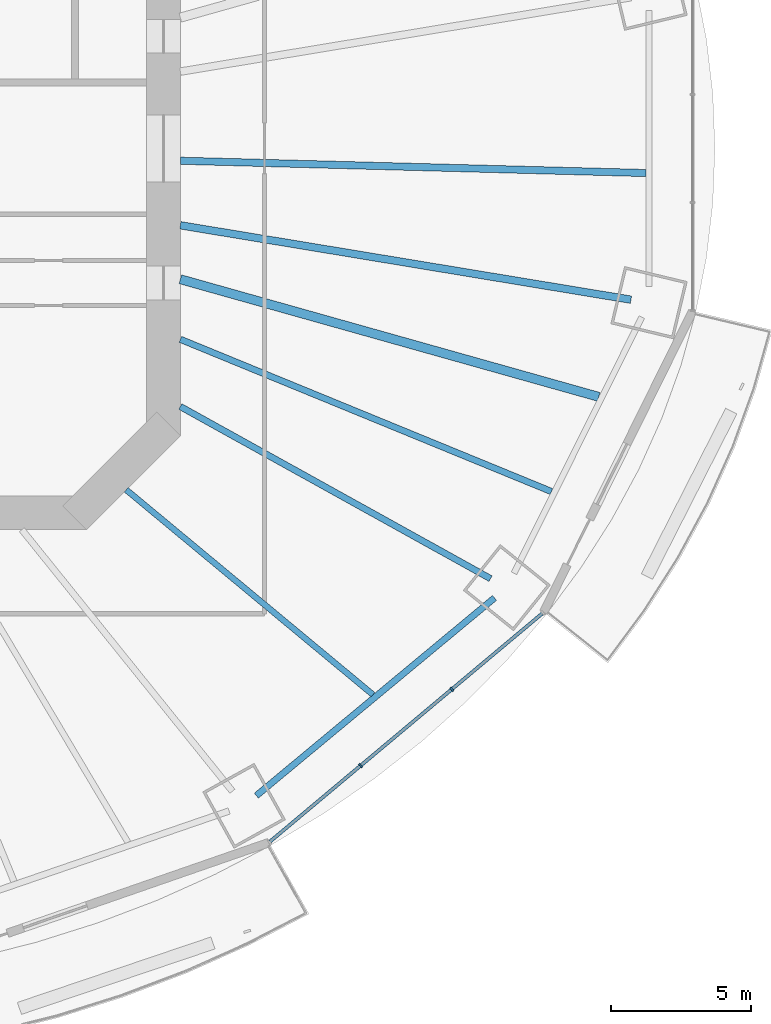
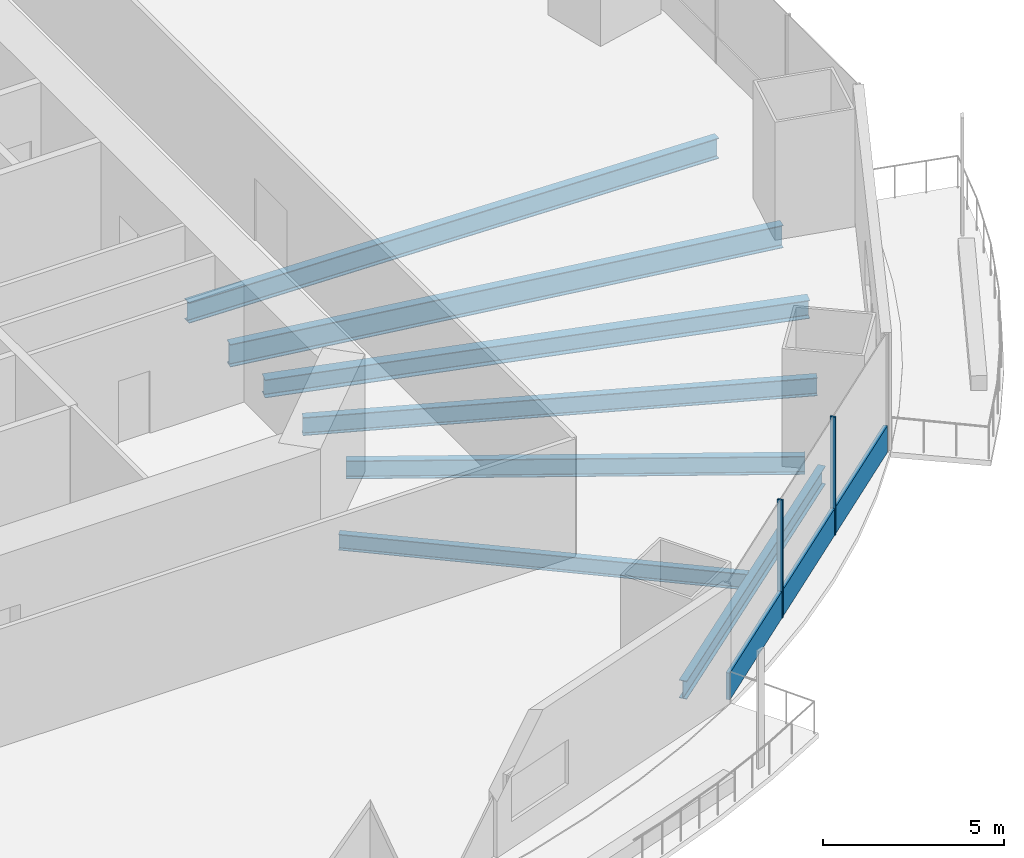
# One storey, part 5 of 22: 7 beams, 3 members, 1 element without a shape of its own.
"""IFC4 building model written with IfcOpenShell, lengths in metres."""

import ifcopenshell
import ifcopenshell.guid

model = None  # the IFC model being written
_history = None  # IfcOwnerHistory: only IFC2X3 demands one
_inside = {}  # id of a spatial element -> (the spatial element, [elements in it])
_under = {}  # id of a project, library or spatial element -> (it, [spatial elements below it])
_declared = {}  # id of a project -> (the project, [libraries it declares])
_typed = {}  # id of a type object -> (the type object, [elements of that type])
_made_of = {}  # id of a material, layer set ... -> (it, [elements and type objects made of it])


def new_model(schema):
    """Start an empty IFC model of exactly this schema.

    Asked for "IFC4X3", IfcOpenShell would pick the latest addendum, in which some entities
    have other attributes; the version numbers below select the first issue.
    IFC2X3 requires an IfcOwnerHistory on every rooted entity: one is made here for all.
    """
    global model, _history
    if schema == "IFC4X3":
        model = ifcopenshell.file(schema_version=(4, 3, 0, 0))
    else:
        model = ifcopenshell.file(schema=schema)
    _inside.clear()
    _under.clear()
    _declared.clear()
    _typed.clear()
    _made_of.clear()
    _history = None
    if model.schema == "IFC2X3":
        org = make("IfcOrganization", Name="unknown")
        user = make(
            "IfcPersonAndOrganization",
            ThePerson=make("IfcPerson", FamilyName="unknown"),
            TheOrganization=org,
        )
        app = make(
            "IfcApplication",
            ApplicationDeveloper=org,
            Version="unknown",
            ApplicationFullName="unknown",
            ApplicationIdentifier="unknown",
        )
        _history = make(
            "IfcOwnerHistory",
            OwningUser=user,
            OwningApplication=app,
            ChangeAction="ADDED",
            CreationDate=0,
        )
    return model


def make(cls, **values):
    """One entity of the class cls with the attributes given. An attribute that is None is left unset."""
    return model.create_entity(
        cls, **{name: value for name, value in values.items() if value is not None}
    )


def rooted(cls, **values):
    """An entity with a GlobalId (a new one), such as an element, a storey or a relation."""
    return make(cls, GlobalId=ifcopenshell.guid.new(), OwnerHistory=_history, **values)


def si_unit(unit_type, name, prefix=None):
    """IfcSIUnit, for example si_unit("LENGTHUNIT", "METRE", prefix="MILLI")."""
    return make("IfcSIUnit", UnitType=unit_type, Prefix=prefix, Name=name)


def assignment(units):
    """IfcUnitAssignment: the units of a project."""
    return None if units is None else make("IfcUnitAssignment", Units=units)


def point(xyz):
    """IfcCartesianPoint."""
    return None if xyz is None else make("IfcCartesianPoint", Coordinates=xyz)


def direction(xyz):
    """IfcDirection."""
    return None if xyz is None else make("IfcDirection", DirectionRatios=xyz)


def frame(location, z_axis=None, x_axis=None):
    """IfcAxis2Placement3D, a coordinate frame: its origin and axes. An axis left out is left unset."""
    return make(
        "IfcAxis2Placement3D",
        Location=point(location),
        Axis=direction(z_axis),
        RefDirection=direction(x_axis),
    )


def frame_2d(location, x_axis=None):
    """IfcAxis2Placement2D, a coordinate frame in the plane: its origin and x axis."""
    return make(
        "IfcAxis2Placement2D", Location=point(location), RefDirection=direction(x_axis)
    )


def origin():
    """The frame at (0, 0, 0) with its axes left unset."""
    return frame((0.0, 0.0, 0.0))


def origin_2d():
    """The frame at (0, 0) in the plane with its x axis left unset."""
    return frame_2d((0.0, 0.0))


def place(relative_to, where):
    """IfcLocalPlacement: puts the frame where relative to a parent placement (None: the world)."""
    return make(
        "IfcLocalPlacement", PlacementRelTo=relative_to, RelativePlacement=where
    )


def context(
    kind, dimensions, precision=None, world=None, true_north=None, identifier=None
):
    """IfcGeometricRepresentationContext, for example the 3D "Model" context."""
    return make(
        "IfcGeometricRepresentationContext",
        ContextIdentifier=identifier,
        ContextType=kind,
        CoordinateSpaceDimension=dimensions,
        Precision=precision,
        WorldCoordinateSystem=world,
        TrueNorth=true_north,
    )


def subcontext(parent, identifier, kind, view, scale=None):
    """IfcGeometricRepresentationSubContext, for example "Body" below "Model"."""
    return make(
        "IfcGeometricRepresentationSubContext",
        ContextIdentifier=identifier,
        ContextType=kind,
        ParentContext=parent,
        TargetScale=scale,
        TargetView=view,
    )


def project(units=None, contexts=None):
    """IfcProject with its units and contexts."""
    return rooted(
        "IfcProject",
        Name="project",
        RepresentationContexts=contexts,
        UnitsInContext=assignment(units),
    )


def spatial(cls, under=None, at=None, **own):
    """A site, building, storey or space (cls), placed at a placement, below another one or the project."""
    s = rooted(cls, ObjectPlacement=at, **own)
    if under is not None:
        _under.setdefault(under.id(), (under, []))[1].append(s)
    return s


def profile(cls, at=None, kind="AREA", **sizes):
    """A parametric profile (cls). Its sizes go by their IFC names, for example OverallWidth=200.0."""
    return make(cls, ProfileType=kind, Position=at, **sizes)


def rectangle(**sizes):
    """IfcRectangleProfileDef."""
    return profile("IfcRectangleProfileDef", **sizes)


def i_section(**sizes):
    """IfcIShapeProfileDef."""
    return profile("IfcIShapeProfileDef", **sizes)


def extrude(swept, where, along, depth):
    """IfcExtrudedAreaSolid: the profile swept, set in the frame where, extruded along a direction by depth."""
    return make(
        "IfcExtrudedAreaSolid",
        SweptArea=swept,
        Position=where,
        ExtrudedDirection=direction(along),
        Depth=depth,
    )


def shape(context_of_items, identifier, shape_type, items):
    """IfcShapeRepresentation: the items that make up one representation, for example the "Body"."""
    return make(
        "IfcShapeRepresentation",
        ContextOfItems=context_of_items,
        RepresentationIdentifier=identifier,
        RepresentationType=shape_type,
        Items=items,
    )


def material(Name=None, Category=None):
    """IfcMaterial."""
    return make("IfcMaterial", Name=Name, Category=Category)


def material_profile(
    of_material, cross_section, Name=None, Category=None, Priority=None
):
    """IfcMaterialProfile: a cross section and its material."""
    return make(
        "IfcMaterialProfile",
        Name=Name,
        Material=of_material,
        Profile=cross_section,
        Priority=Priority,
        Category=Category,
    )


def profile_set(profiles, Name=None, composite=None):
    """IfcMaterialProfileSet."""
    return make(
        "IfcMaterialProfileSet",
        Name=Name,
        MaterialProfiles=profiles,
        CompositeProfile=composite,
    )


def made_of(thing, what):
    """Note that an element or type object is made of a material, layer set ...; save() writes the relation."""
    if what is not None:
        _made_of.setdefault(what.id(), (what, []))[1].append(thing)
    return thing


def type_object(cls, material=None, **own):
    """A type object (cls), such as IfcWallType, which elements share."""
    return made_of(rooted(cls, **own), material)


def element(
    cls,
    number,
    at=None,
    inside=None,
    cuts=None,
    type_object=None,
    material=None,
    context=None,
    identifier="Body",
    shape_type=None,
    held_by="IfcProductDefinitionShape",
    body=None,
    shapes=None,
    **own,
):
    """One element of the class cls, such as IfcWall. Its Tag is "e" and its number.

    at: its placement. inside: the storey or other place that contains it. cuts: it is an
    opening in that element (IfcRelVoidsElement). A single representation is given by context,
    identifier, shape_type and body (its items); several are given by shapes. held_by: the class
    of the entity that holds the representations. save() writes the other relations.
    """
    e = rooted(cls, Tag="e%d" % number, ObjectPlacement=at, **own)
    if body is not None:
        shapes = [shape(context, identifier, shape_type, body)]
    if shapes is not None:
        e.Representation = make(held_by, Representations=shapes)
    if inside is not None:
        _inside.setdefault(inside.id(), (inside, []))[1].append(e)
    if cuts is not None:
        rooted(
            "IfcRelVoidsElement", RelatingBuildingElement=cuts, RelatedOpeningElement=e
        )
    if type_object is not None:
        _typed.setdefault(type_object.id(), (type_object, []))[1].append(e)
    return made_of(e, material)


def aggregate(whole, parts):
    """IfcRelAggregates: a whole, such as a stair, and the parts it consists of."""
    return rooted("IfcRelAggregates", RelatingObject=whole, RelatedObjects=parts)


def save(model, path):
    """Write the relations noted so far, then the file.

    IfcRelAggregates (storeys below a building ...), IfcRelContainedInSpatialStructure (elements
    in a storey), IfcRelDefinesByType, IfcRelAssociatesMaterial and IfcRelDeclares: one each for
    every whole, place, type object, material and project.
    """
    for whole, parts in _under.values():
        aggregate(whole, parts)
    for where, things in _inside.values():
        rooted(
            "IfcRelContainedInSpatialStructure",
            RelatedElements=things,
            RelatingStructure=where,
        )
    for kind, things in _typed.values():
        rooted("IfcRelDefinesByType", RelatedObjects=things, RelatingType=kind)
    for what, things in _made_of.values():
        rooted("IfcRelAssociatesMaterial", RelatedObjects=things, RelatingMaterial=what)
    for by, libraries in _declared.values():
        rooted("IfcRelDeclares", RelatingContext=by, RelatedDefinitions=libraries)
    model.write(path)


model = new_model("IFC4")

# Units and contexts
model_context = context("Model", 3, precision=1e-05, world=origin(), true_north=direction((0.0, 1.0)))
body_context = subcontext(model_context, "Body", "Model", "MODEL_VIEW")
ifc_project = project(units=[si_unit("LENGTHUNIT", "METRE"), si_unit("AREAUNIT", "SQUARE_METRE"), si_unit("VOLUMEUNIT", "CUBIC_METRE"), si_unit("PLANEANGLEUNIT", "RADIAN"), si_unit("MASSUNIT", "GRAM", prefix="KILO")], contexts=[model_context])

# Site, building, storey
site_placement = place(None, origin())
site = spatial("IfcSite", under=ifc_project, at=site_placement, CompositionType="ELEMENT")
building_placement = place(site_placement, origin())
building = spatial("IfcBuilding", under=site, at=building_placement, Name="Marenthal Gate Tower", CompositionType="ELEMENT")
storey_placement = place(building_placement, frame((0.0, 0.0, 70.35009765625)))
storey = spatial("IfcBuildingStorey", under=building, at=storey_placement, Name="L13", CompositionType="ELEMENT", Elevation=70.35009765625)

# Curtain wall, members
ifc_material_1 = material(Name="Aluminium and glass", Category="aluminium")
curtain_wall_type = type_object("IfcCurtainWallType", Name="Curtain wall typical low", PredefinedType="NOTDEFINED", material=ifc_material_1)
curtain_wall_placement = place(storey_placement, origin())
curtain_wall = element("IfcCurtainWall", 1, at=curtain_wall_placement, inside=storey, type_object=curtain_wall_type, Name="Curtain wall L13 bay 14", PredefinedType="NOTDEFINED")
ifc_material_2 = material(Name="Aluminium", Category="aluminium")
ifc_material_profile_1 = material_profile(ifc_material_2, rectangle(XDim=0.159912109375, YDim=0.06005859375, at=origin_2d()), Name="60x160 aluminium mullion")
ifc_profile_set_1 = profile_set([ifc_material_profile_1], Name="Aluminium")
member_type_1 = type_object("IfcMemberType", Name="Mullion 60x160 typical low", PredefinedType="MULLION", material=ifc_profile_set_1)
member_1_placement = place(storey_placement, frame((23.029541015625, -22.01904296875, 0.0), z_axis=(0.0, 0.0, 1.0), x_axis=(-0.642176178992, 0.76655707885, 0.0)))
member_1 = element("IfcMember", 2, at=member_1_placement, type_object=member_type_1, Name="Mullion L13 bay 14.2", PredefinedType="MULLION", context=body_context, shape_type="SweptSolid", body=[
    extrude(rectangle(XDim=0.159912109375, YDim=0.06005859375, at=origin_2d()), origin(), (0.0, 0.0, 1.0), 3.969970703125),
])
member_2_placement = place(storey_placement, frame((26.283935546875, -19.292724609375, 0.0), z_axis=(0.0, 0.0, 1.0), x_axis=(-0.642176178992, 0.76655707885, 0.0)))
member_2 = element("IfcMember", 3, at=member_2_placement, type_object=member_type_1, Name="Mullion L13 bay 14.3", PredefinedType="MULLION", context=body_context, shape_type="SweptSolid", body=[
    extrude(rectangle(XDim=0.159912109375, YDim=0.06005859375, at=origin_2d()), origin(), (0.0, 0.0, 1.0), 3.969970703125),
])
ifc_material_3 = material(Name="Aluminium", Category="aluminium")
ifc_material_profile_2 = material_profile(ifc_material_3, rectangle(XDim=0.1201171875, YDim=0.89990234375, at=origin_2d()), Name="120x900 aluminium transom")
ifc_profile_set_2 = profile_set([ifc_material_profile_2], Name="Aluminium")
member_type_2 = type_object("IfcMemberType", Name="Transom 120x900 typical low", PredefinedType="USERDEFINED", material=ifc_profile_set_2)
member_3_placement = place(storey_placement, frame((19.798095703125, -24.72607421875, 0.449951171875), z_axis=(0.766556354324, 0.642177043849, 0.0), x_axis=(-0.642177043849, 0.766556354324, 0.0)))
member_3 = element("IfcMember", 4, at=member_3_placement, type_object=member_type_2, Name="Transom L13 bay 14", ObjectType="TRANSOM", PredefinedType="USERDEFINED", context=body_context, shape_type="SweptSolid", body=[
    extrude(rectangle(XDim=0.1201171875, YDim=0.89990234375, at=origin_2d()), origin(), (0.0, 0.0, 1.0), 12.67626953125),
])
aggregate(curtain_wall, [member_1, member_2, member_3])

# Beams
ifc_material_4 = material(Name="Steel S355", Category="steel")
ifc_material_profile_3 = material_profile(ifc_material_4, i_section(OverallWidth=0.2099609375, OverallDepth=0.535888671875, WebThickness=0.010986328125, FlangeThickness=0.017333984375, FilletRadius=0.0126953125, at=origin_2d()), Name="W530X101")
ifc_profile_set_3 = profile_set([ifc_material_profile_3], Name="Steel S355")
beam_type_1 = type_object("IfcBeamType", Name="W530X101 beam", PredefinedType="BEAM", material=ifc_profile_set_3)
beam_1_placement = place(storey_placement, frame((23.47119140625, -19.485595703125, -0.447998046875), z_axis=(-0.769402561639, 0.638764196041, 0.0), x_axis=(-0.638764196041, -0.769402561639, 0.0)))
element("IfcBeam", 5, at=beam_1_placement, inside=storey, type_object=beam_type_1, Name="BM-L13-37", PredefinedType="BEAM", context=body_context, shape_type="SweptSolid", body=[
    extrude(i_section(OverallWidth=0.2099609375, OverallDepth=0.535888671875, WebThickness=0.010986328125, FlangeThickness=0.017333984375, FilletRadius=0.0126953125, at=origin_2d()), origin(), (0.0, 0.0, 1.0), 11.439208984375),
])
ifc_material_5 = material(Name="Steel S355", Category="steel")
ifc_material_profile_4 = material_profile(ifc_material_5, i_section(OverallWidth=0.22900390625, OverallDepth=0.612060546875, WebThickness=0.011962890625, FlangeThickness=0.01953125, FilletRadius=0.0126953125, at=origin_2d()), Name="W610X125")
ifc_profile_set_4 = profile_set([ifc_material_profile_4], Name="Steel S355")
beam_type_2 = type_object("IfcBeamType", Name="W610X125 beam", PredefinedType="BEAM", material=ifc_profile_set_4)
beam_2_placement = place(storey_placement, frame((27.6640625, -15.345703125, -0.486083984375), z_axis=(-0.874465657006, 0.485087429972, 0.0), x_axis=(-0.485087429972, -0.874465657006, 0.0)))
element("IfcBeam", 6, at=beam_2_placement, inside=storey, type_object=beam_type_2, Name="BM-L13-15", PredefinedType="BEAM", context=body_context, shape_type="SweptSolid", body=[
    extrude(i_section(OverallWidth=0.22900390625, OverallDepth=0.612060546875, WebThickness=0.011962890625, FlangeThickness=0.01953125, FilletRadius=0.0126953125, at=origin_2d()), origin(), (0.0, 0.0, 1.0), 12.65234375),
])
beam_3_placement = place(storey_placement, frame((29.840087890625, -12.239990234375, -0.486083984375), z_axis=(-0.925190275705, 0.379503562225, 0.0), x_axis=(-0.379503562225, -0.925190275705, 0.0)))
element("IfcBeam", 7, at=beam_3_placement, inside=storey, type_object=beam_type_2, Name="BM-L13-38", PredefinedType="BEAM", context=body_context, shape_type="SweptSolid", body=[
    extrude(i_section(OverallWidth=0.22900390625, OverallDepth=0.612060546875, WebThickness=0.011962890625, FlangeThickness=0.01953125, FilletRadius=0.0126953125, at=origin_2d()), origin(), (0.0, 0.0, 1.0), 14.310546875),
])
beam_4_placement = place(storey_placement, frame((19.311767578125, -23.087646484375, -0.486083984375), z_axis=(0.769405168871, 0.638761055571, 0.0), x_axis=(-0.638761055571, 0.769405168871, 0.0)))
element("IfcBeam", 8, at=beam_4_placement, inside=storey, type_object=beam_type_2, Name="BM-L13-54", PredefinedType="BEAM", context=body_context, shape_type="SweptSolid", body=[
    extrude(i_section(OverallWidth=0.22900390625, OverallDepth=0.612060546875, WebThickness=0.011962890625, FlangeThickness=0.01953125, FilletRadius=0.0126953125, at=origin_2d()), origin(), (0.0, 0.0, 1.0), 11.04248046875),
])
ifc_material_6 = material(Name="Steel S355", Category="steel")
ifc_material_profile_5 = material_profile(ifc_material_6, i_section(OverallWidth=0.324951171875, OverallDepth=0.612060546875, WebThickness=0.0126953125, FlangeThickness=0.01904296875, FilletRadius=0.0126953125, at=origin_2d()), Name="W610X155")
ifc_profile_set_5 = profile_set([ifc_material_profile_5], Name="Steel S355")
beam_type_3 = type_object("IfcBeamType", Name="W610X155 beam", PredefinedType="BEAM", material=ifc_profile_set_5)
beam_5_placement = place(storey_placement, frame((31.525390625, -8.862060546875, -0.486083984375), z_axis=(-0.962687612966, 0.270615150797, 0.0), x_axis=(-0.270615150797, -0.962687612966, 0.0)))
element("IfcBeam", 9, at=beam_5_placement, inside=storey, type_object=beam_type_3, Name="BM-L13-39", PredefinedType="BEAM", context=body_context, shape_type="SweptSolid", body=[
    extrude(i_section(OverallWidth=0.324951171875, OverallDepth=0.612060546875, WebThickness=0.0126953125, FlangeThickness=0.01904296875, FilletRadius=0.0126953125, at=origin_2d()), origin(), (0.0, 0.0, 1.0), 15.503662109375),
])
ifc_material_7 = material(Name="Steel S355", Category="steel")
ifc_material_profile_6 = material_profile(ifc_material_7, i_section(OverallWidth=0.257080078125, OverallDepth=0.693115234375, WebThickness=0.014404296875, FlangeThickness=0.023681640625, FilletRadius=0.015380859375, at=origin_2d()), Name="W690X170")
ifc_profile_set_6 = profile_set([ifc_material_profile_6], Name="Steel S355")
beam_type_4 = type_object("IfcBeamType", Name="W690X170 beam", PredefinedType="BEAM", material=ifc_profile_set_6)
beam_6_placement = place(storey_placement, frame((33.214111328125, -0.877685546875, -0.526611328125), z_axis=(-0.999651138497, 0.026412143055, 0.0), x_axis=(-0.026412143055, -0.999651138497, 0.0)))
element("IfcBeam", 10, at=beam_6_placement, inside=storey, type_object=beam_type_4, Name="BM-L13-40", PredefinedType="BEAM", context=body_context, shape_type="SweptSolid", body=[
    extrude(i_section(OverallWidth=0.257080078125, OverallDepth=0.693115234375, WebThickness=0.014404296875, FlangeThickness=0.023681640625, FilletRadius=0.015380859375, at=origin_2d()), origin(), (0.0, 0.0, 1.0), 16.619873046875),
])
ifc_material_8 = material(Name="Steel S355", Category="steel")
ifc_material_profile_7 = material_profile(ifc_material_8, i_section(OverallWidth=0.26708984375, OverallDepth=0.761962890625, WebThickness=0.014404296875, FlangeThickness=0.021484375, FilletRadius=0.0166015625, at=origin_2d()), Name="W760X173")
ifc_profile_set_7 = profile_set([ifc_material_profile_7], Name="Steel S355")
beam_type_5 = type_object("IfcBeamType", Name="W760X173 beam", PredefinedType="BEAM", material=ifc_profile_set_7)
beam_7_placement = place(storey_placement, frame((32.676025390625, -5.39599609375, -0.56103515625), z_axis=(-0.986637030798, 0.162933635137, 0.0), x_axis=(-0.162933635137, -0.986637030798, 0.0)))
element("IfcBeam", 11, at=beam_7_placement, inside=storey, type_object=beam_type_5, Name="BM-L13-16", PredefinedType="BEAM", context=body_context, shape_type="SweptSolid", body=[
    extrude(i_section(OverallWidth=0.26708984375, OverallDepth=0.761962890625, WebThickness=0.014404296875, FlangeThickness=0.021484375, FilletRadius=0.0166015625, at=origin_2d()), origin(), (0.0, 0.0, 1.0), 16.293701171875),
])

save(model, "model.ifc")
